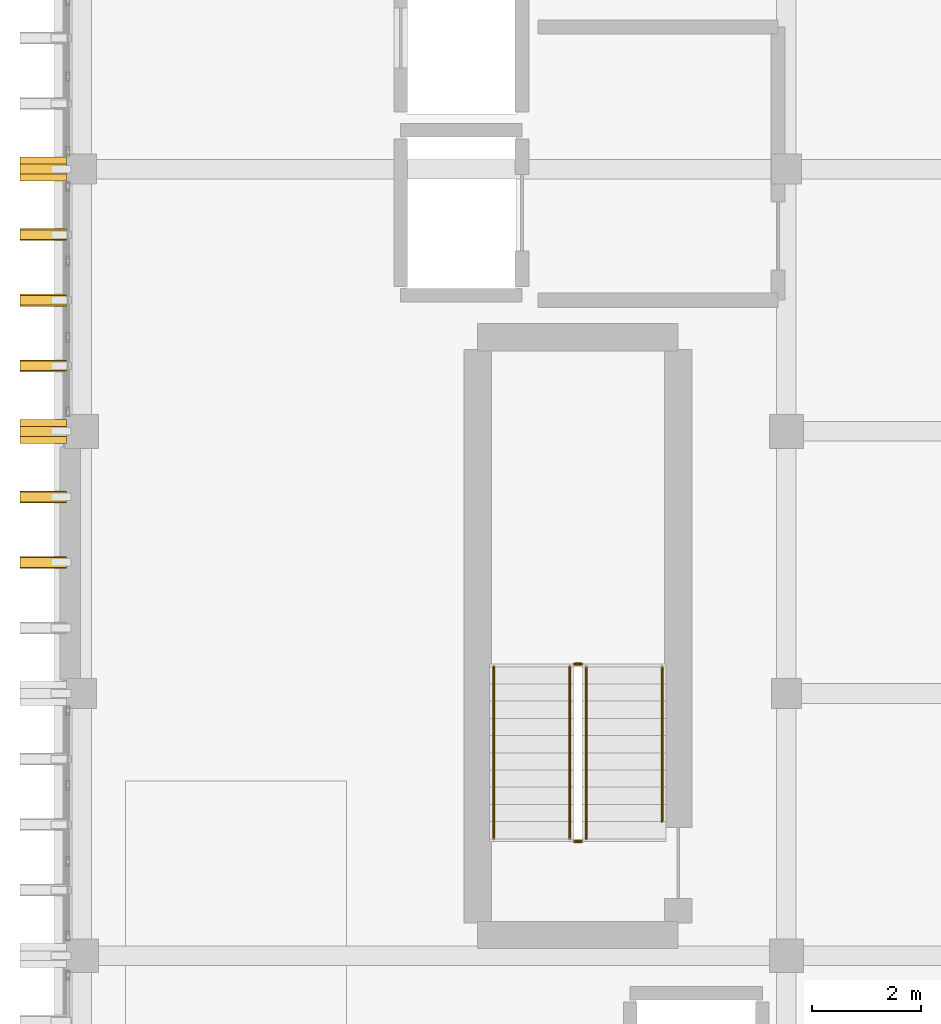
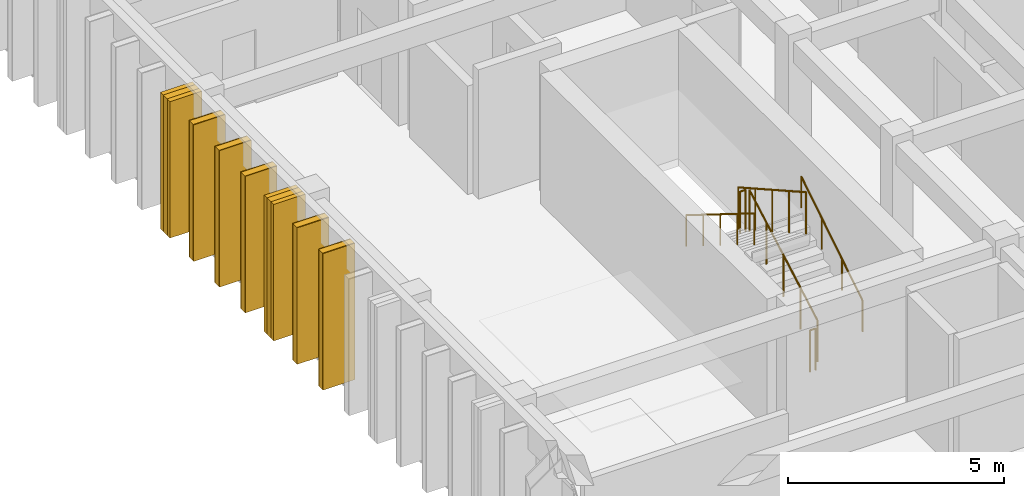
# One storey, part 47 of 50: 7 coverings, 7 shading devices, 6 railings.
"""IFC4 building model written with IfcOpenShell, lengths in metres."""

from ifc_helpers import new_model, si_unit, direction, frame, origin, origin_2d, place, context, subcontext, project, spatial, rectangle, circle, extrude, material, layer, layer_set, type_object, element, save


model = new_model("IFC4")

# Units and contexts
model_context = context("Model", 3, precision=1e-05, world=origin(), true_north=direction((0.0, 1.0)))
body_context = subcontext(model_context, "Body", "Model", "MODEL_VIEW")
ifc_project = project(units=[si_unit("LENGTHUNIT", "METRE"), si_unit("AREAUNIT", "SQUARE_METRE"), si_unit("VOLUMEUNIT", "CUBIC_METRE"), si_unit("PLANEANGLEUNIT", "RADIAN"), si_unit("MASSUNIT", "GRAM", prefix="KILO")], contexts=[model_context])

# Site, building, storey
site_placement = place(None, origin())
site = spatial("IfcSite", under=ifc_project, at=site_placement, CompositionType="ELEMENT")
building_placement = place(site_placement, origin())
building = spatial("IfcBuilding", under=site, at=building_placement, Name="Nakhvara Creek Congress Hotel", CompositionType="ELEMENT")
storey_placement = place(building_placement, frame((0.0, 0.0, 42.60009765625)))
storey = spatial("IfcBuildingStorey", under=building, at=storey_placement, Name="L10", CompositionType="ELEMENT", Elevation=42.60009765625)

# Coverings
ifc_material_1 = material(Name="Honed pale Omani limestone architectural cladding", Category="masonry")
ifc_layer = layer(ifc_material_1, 0.219970703125)
ifc_layer_set = layer_set([ifc_layer], Name="Honed pale Omani limestone architectural cladding")
covering_type = type_object("IfcCoveringType", Name="COV-FIN-850", PredefinedType="CLADDING", material=ifc_layer_set)
for number, where, z_axis, x_axis, name in (
    (1, (148.7451171875, 84.0, 0.0), (0.0, 0.0, 1.0), (0.0, 1.0, 0.0), "Pale Limestone Fin Cladding CF01-2327"),
    (2, (148.7451171875, 85.199951171875, 0.0), (0.0, 0.0, 1.0), (0.0, 1.0, 0.0), "Pale Limestone Fin Cladding CF01-2329"),
):
    element("IfcCovering", number, at=place(storey_placement, frame(where, z_axis=z_axis, x_axis=x_axis)), inside=storey, type_object=covering_type, Name=name, PredefinedType="CLADDING", context=body_context, shape_type="SweptSolid", body=[
        extrude(rectangle(XDim=0.219970703125, YDim=0.85009765625, at=origin_2d()), origin(), (0.0, 0.0, 1.0), 3.860107421875),
    ])
covering_1_placement = place(storey_placement, frame((148.7451171875, 86.39990234375, 0.0), z_axis=(0.0, 0.0, 1.0), x_axis=(0.0, 1.0, 0.0)))
element("IfcCovering", 3, at=covering_1_placement, inside=storey, type_object=covering_type, Name="Pale Limestone Fin Cladding CF01-2331", PredefinedType="CLADDING", context=body_context, shape_type="SweptSolid", body=[
    extrude(rectangle(XDim=0.43994140625, YDim=0.85009765625, at=origin_2d()), origin(), (0.0, 0.0, 1.0), 3.860107421875),
])
for number, where, z_axis, x_axis, name in (
    (4, (148.7451171875, 87.60009765625, 0.0), (0.0, 0.0, 1.0), (0.0, 1.0, 0.0), "Pale Limestone Fin Cladding CF01-2333"),
    (5, (148.7451171875, 88.800048828125, 0.0), (0.0, 0.0, 1.0), (0.0, 1.0, 0.0), "Pale Limestone Fin Cladding CF01-2334"),
    (6, (148.7451171875, 90.0, 0.0), (0.0, 0.0, 1.0), (0.0, 1.0, 0.0), "Pale Limestone Fin Cladding CF01-2336"),
):
    element("IfcCovering", number, at=place(storey_placement, frame(where, z_axis=z_axis, x_axis=x_axis)), inside=storey, type_object=covering_type, Name=name, PredefinedType="CLADDING", context=body_context, shape_type="SweptSolid", body=[
        extrude(rectangle(XDim=0.219970703125, YDim=0.85009765625, at=origin_2d()), origin(), (0.0, 0.0, 1.0), 3.860107421875),
    ])
covering_2_placement = place(storey_placement, frame((148.7451171875, 91.199951171875, 0.0), z_axis=(0.0, 0.0, 1.0), x_axis=(0.0, 1.0, 0.0)))
element("IfcCovering", 7, at=covering_2_placement, inside=storey, type_object=covering_type, Name="Pale Limestone Fin Cladding CF01-2338", PredefinedType="CLADDING", context=body_context, shape_type="SweptSolid", body=[
    extrude(rectangle(XDim=0.43994140625, YDim=0.85009765625, at=origin_2d()), origin(), (0.0, 0.0, 1.0), 3.860107421875),
])

# Railings
ifc_material_2 = material(Name="Brushed stainless steel 316L", Category="steel")
railing_type_1 = type_object("IfcRailingType", Name="RL-GUARD-1200", PredefinedType="GUARDRAIL", material=ifc_material_2)
railing_1_placement = place(storey_placement, frame((158.68505859375, 78.93994140625, 0.17724609375)))
element("IfcRailing", 8, at=railing_1_placement, inside=storey, type_object=railing_type_1, Name="L10 ST01 stair guard 1", PredefinedType="GUARDRAIL", context=body_context, shape_type="SweptSolid", body=[
    extrude(circle(Radius=0.02392578125, at=origin_2d()), frame((0.0, 0.0126953125, 1.18310546875), z_axis=(0.0, 0.871487137878, 0.490418360702), x_axis=(-1.0, 0.0, 0.0)), (0.0, 0.0, 1.0), 3.585205078125),
    extrude(circle(Radius=0.02099609375, at=origin_2d()), origin(), (0.0, 0.0, 1.0), 1.1806640625),
    extrude(circle(Radius=0.02099609375, at=origin_2d()), frame((0.0, 0.78759765625, 0.443115234375)), (0.0, 0.0, 1.0), 1.1806640625),
    extrude(circle(Radius=0.02099609375, at=origin_2d()), frame((0.0, 1.5751953125, 0.88623046875)), (0.0, 0.0, 1.0), 1.1806640625),
    extrude(circle(Radius=0.02099609375, at=origin_2d()), frame((0.0, 2.362548828125, 1.32958984375)), (0.0, 0.0, 1.0), 1.1806640625),
    extrude(circle(Radius=0.02099609375, at=origin_2d()), frame((0.0, 3.150146484375, 1.772705078125)), (0.0, 0.0, 1.0), 1.1806640625),
])
railing_2_placement = place(storey_placement, frame((158.610107421875, 82.139892578125, 1.949951171875)))
element("IfcRailing", 9, at=railing_2_placement, inside=storey, type_object=railing_type_1, Name="L10 ST01 stair guard 2", PredefinedType="GUARDRAIL", context=body_context, shape_type="SweptSolid", body=[
    extrude(circle(Radius=0.02392578125, at=origin_2d()), frame((-0.0146484375, 0.0, 1.17578125), z_axis=(-1.0, 0.0, 0.0), x_axis=(0.0, -1.0, 0.0)), (0.0, 0.0, 1.0), 0.120849609375),
    extrude(circle(Radius=0.02099609375, at=origin_2d()), origin(), (0.0, 0.0, 1.0), 1.1806640625),
    extrude(circle(Radius=0.02099609375, at=origin_2d()), frame((-0.150146484375, 0.0, 0.0)), (0.0, 0.0, 1.0), 1.1806640625),
])
railing_3_placement = place(storey_placement, frame((158.385009765625, 82.090087890625, 2.127197265625)))
element("IfcRailing", 10, at=railing_3_placement, inside=storey, type_object=railing_type_1, Name="L10 ST01 stair guard 3", PredefinedType="GUARDRAIL", context=body_context, shape_type="SweptSolid", body=[
    extrude(circle(Radius=0.02392578125, at=origin_2d()), frame((0.0, -0.0126953125, 1.18310546875), z_axis=(0.0, -0.871487137878, 0.490418360702), x_axis=(1.0, 0.0, 0.0)), (0.0, 0.0, 1.0), 3.585205078125),
    extrude(circle(Radius=0.02099609375, at=origin_2d()), origin(), (0.0, 0.0, 1.0), 1.1806640625),
    extrude(circle(Radius=0.02099609375, at=origin_2d()), frame((0.0, -0.78759765625, 0.443115234375)), (0.0, 0.0, 1.0), 1.1806640625),
    extrude(circle(Radius=0.02099609375, at=origin_2d()), frame((0.0, -1.5751953125, 0.88623046875)), (0.0, 0.0, 1.0), 1.1806640625),
    extrude(circle(Radius=0.02099609375, at=origin_2d()), frame((0.0, -2.362548828125, 1.32958984375)), (0.0, 0.0, 1.0), 1.1806640625),
    extrude(circle(Radius=0.02099609375, at=origin_2d()), frame((0.0, -3.150146484375, 1.772705078125)), (0.0, 0.0, 1.0), 1.1806640625),
])
railing_4_placement = place(storey_placement, frame((158.610107421875, 78.889892578125, 0.0)))
element("IfcRailing", 11, at=railing_4_placement, inside=storey, type_object=railing_type_1, Name="L10 ST01 stair guard 4", PredefinedType="GUARDRAIL", context=body_context, shape_type="SweptSolid", body=[
    extrude(circle(Radius=0.02392578125, at=origin_2d()), frame((-0.0146484375, 0.0, 1.17578125), z_axis=(-1.0, 0.0, 0.0), x_axis=(0.0, -1.0, 0.0)), (0.0, 0.0, 1.0), 0.120849609375),
    extrude(circle(Radius=0.02099609375, at=origin_2d()), origin(), (0.0, 0.0, 1.0), 1.1806640625),
    extrude(circle(Radius=0.02099609375, at=origin_2d()), frame((-0.150146484375, 0.0, 0.0)), (0.0, 0.0, 1.0), 1.1806640625),
])
railing_type_2 = type_object("IfcRailingType", Name="RL-HAND-900", PredefinedType="HANDRAIL", material=ifc_material_2)
railing_5_placement = place(storey_placement, frame((160.074951171875, 79.2548828125, 0.3544921875)))
element("IfcRailing", 12, at=railing_5_placement, inside=storey, type_object=railing_type_2, Name="L10 ST01 stair handrail 1", PredefinedType="HANDRAIL", context=body_context, shape_type="SweptSolid", body=[
    extrude(circle(Radius=0.02392578125, at=origin_2d()), frame((0.0, 0.012451171875, 0.8837890625), z_axis=(0.0, 0.846426311907, 0.532505867114), x_axis=(-1.0, 0.0, 0.0)), (0.0, 0.0, 1.0), 3.3203125),
    extrude(circle(Radius=0.02099609375, at=origin_2d()), origin(), (0.0, 0.0, 1.0), 0.880615234375),
    extrude(circle(Radius=0.02099609375, at=origin_2d()), frame((0.0, 0.945068359375, 0.594482421875)), (0.0, 0.0, 1.0), 0.880615234375),
    extrude(circle(Radius=0.02099609375, at=origin_2d()), frame((0.0, 1.89013671875, 1.189208984375)), (0.0, 0.0, 1.0), 0.880615234375),
    extrude(circle(Radius=0.02099609375, at=origin_2d()), frame((0.0, 2.835205078125, 1.78369140625)), (0.0, 0.0, 1.0), 0.880615234375),
])
railing_6_placement = place(storey_placement, frame((156.9951171875, 82.090087890625, 2.127197265625)))
element("IfcRailing", 13, at=railing_6_placement, inside=storey, type_object=railing_type_2, Name="L10 ST01 stair handrail 2", PredefinedType="HANDRAIL", context=body_context, shape_type="SweptSolid", body=[
    extrude(circle(Radius=0.02392578125, at=origin_2d()), frame((0.0, -0.012451171875, 0.883544921875), z_axis=(0.0, -0.848954276342, 0.528466306098), x_axis=(1.0, 0.0, 0.0)), (0.0, 0.0, 1.0), 3.68115234375),
    extrude(circle(Radius=0.02099609375, at=origin_2d()), origin(), (0.0, 0.0, 1.0), 0.880615234375),
    extrude(circle(Radius=0.02099609375, at=origin_2d()), frame((0.0, -0.78759765625, 0.490234375)), (0.0, 0.0, 1.0), 0.880615234375),
    extrude(circle(Radius=0.02099609375, at=origin_2d()), frame((0.0, -1.5751953125, 0.98046875)), (0.0, 0.0, 1.0), 0.880615234375),
    extrude(circle(Radius=0.02099609375, at=origin_2d()), frame((0.0, -2.362548828125, 1.470703125)), (0.0, 0.0, 1.0), 0.880615234375),
    extrude(circle(Radius=0.02099609375, at=origin_2d()), frame((0.0, -3.150146484375, 1.9609375)), (0.0, 0.0, 1.0), 0.880615234375),
])

# Shading devices
ifc_material_3 = material(Name="Honed pale Omani limestone cladding on stainless steel spine", Category="masonry")
shading_device_type = type_object("IfcShadingDeviceType", Name="SHD-FIN-850X3600", PredefinedType="USERDEFINED", material=ifc_material_3)
for number, where, z_axis, x_axis, name in (
    (14, (148.7451171875, 84.0, 0.0), (0.0, 0.0, 1.0), (0.0, 1.0, 0.0), "Limestone Solar Fin FN01-2192"),
    (15, (148.7451171875, 85.199951171875, 0.0), (0.0, 0.0, 1.0), (0.0, 1.0, 0.0), "Limestone Solar Fin FN01-2194"),
    (16, (148.7451171875, 86.39990234375, 0.0), (0.0, 0.0, 1.0), (0.0, 1.0, 0.0), "Limestone Solar Fin FN01-2196"),
    (17, (148.7451171875, 87.60009765625, 0.0), (0.0, 0.0, 1.0), (0.0, 1.0, 0.0), "Limestone Solar Fin FN01-2198"),
    (18, (148.7451171875, 88.800048828125, 0.0), (0.0, 0.0, 1.0), (0.0, 1.0, 0.0), "Limestone Solar Fin FN01-2199"),
    (19, (148.7451171875, 90.0, 0.0), (0.0, 0.0, 1.0), (0.0, 1.0, 0.0), "Limestone Solar Fin FN01-2201"),
    (20, (148.7451171875, 91.199951171875, 0.0), (0.0, 0.0, 1.0), (0.0, 1.0, 0.0), "Limestone Solar Fin FN01-2203"),
):
    element("IfcShadingDevice", number, at=place(storey_placement, frame(where, z_axis=z_axis, x_axis=x_axis)), inside=storey, type_object=shading_device_type, Name=name, ObjectType="FIN", PredefinedType="USERDEFINED", context=body_context, shape_type="SweptSolid", body=[
        extrude(rectangle(XDim=0.179931640625, YDim=0.85009765625, at=origin_2d()), origin(), (0.0, 0.0, 1.0), 3.860107421875),
    ])

save(model, "model.ifc")
